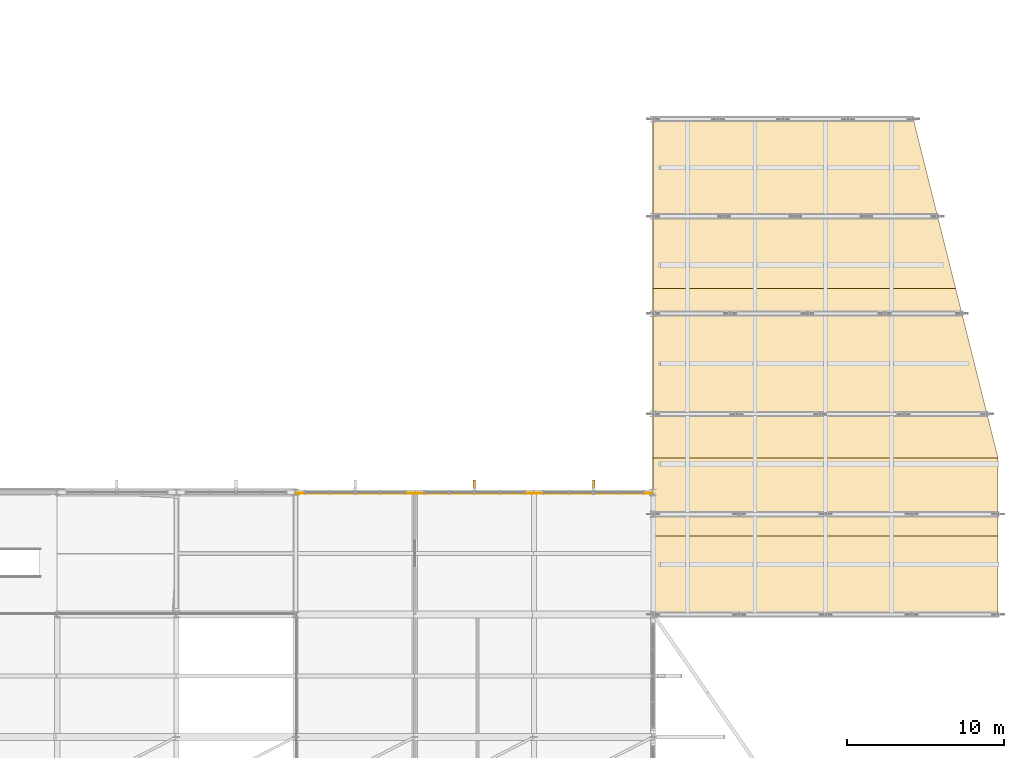
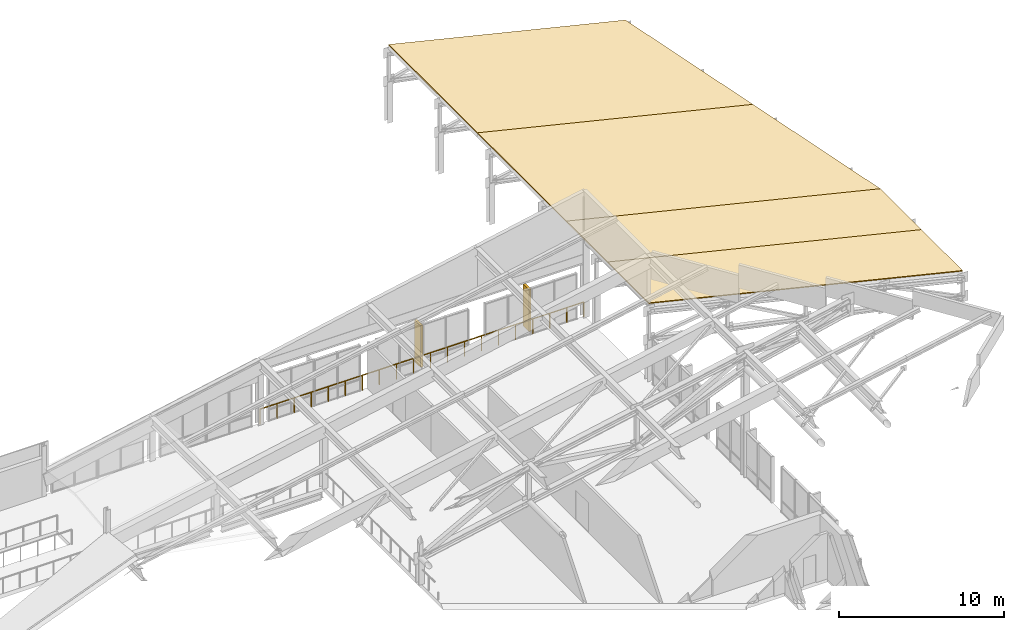
# One storey, part 73 of 73: 4 coverings, 2 shading devices, 1 railing.
"""IFC4 building model written with IfcOpenShell, lengths in metres."""

from ifc_helpers import new_model, si_unit, direction, frame, origin, origin_2d, place, context, subcontext, project, spatial, polyline, rectangle, circle, outline, extrude, material, layer, layer_set, type_object, element, save


model = new_model("IFC4")

# Units and contexts
model_context = context("Model", 3, precision=1e-05, world=origin(), true_north=direction((0.0, 1.0)))
body_context = subcontext(model_context, "Body", "Model", "MODEL_VIEW")
ifc_project = project(units=[si_unit("LENGTHUNIT", "METRE"), si_unit("AREAUNIT", "SQUARE_METRE"), si_unit("VOLUMEUNIT", "CUBIC_METRE"), si_unit("PLANEANGLEUNIT", "RADIAN"), si_unit("MASSUNIT", "GRAM", prefix="KILO")], contexts=[model_context])

# Site, building, storey
site_placement = place(None, origin())
site = spatial("IfcSite", under=ifc_project, at=site_placement, CompositionType="ELEMENT")
building_placement = place(site_placement, origin())
building = spatial("IfcBuilding", under=site, at=building_placement, Name="Vervanel Yard Central Library", CompositionType="ELEMENT")
storey_placement = place(building_placement, frame((0.0, 0.0, 12.780029296875)))
storey = spatial("IfcBuildingStorey", under=building, at=storey_placement, Name="L03", CompositionType="ELEMENT", Elevation=12.780029296875)

# Railing
ifc_material_1 = material(Name="Brushed stainless steel AISI 316", Category="steel")
railing_type = type_object("IfcRailingType", Name="Glazed Atrium & Gallery Balustrade 1120", PredefinedType="BALUSTRADE", material=ifc_material_1)
railing_placement = place(storey_placement, frame((123.199951171875, 82.139892578125, 0.0)))
element("IfcRailing", 1, at=railing_placement, inside=storey, type_object=railing_type, Name="L03 Perimeter Gap Guard V3-L03-N-GAP1", PredefinedType="BALUSTRADE", context=body_context, shape_type="SweptSolid", body=[
    extrude(circle(Radius=0.02392578125, at=origin_2d()), frame((0.0, 0.0, 1.09619140625), z_axis=(1.0, 0.0, 0.0), x_axis=(0.0, 1.0, 0.0)), (0.0, 0.0, 1.0), 22.699951171875),
    extrude(circle(Radius=0.02099609375, at=origin_2d()), origin(), (0.0, 0.0, 1.0), 1.072021484375),
    extrude(circle(Radius=0.02099609375, at=origin_2d()), frame((1.19482421875, 0.0, 0.0)), (0.0, 0.0, 1.0), 1.072021484375),
    extrude(circle(Radius=0.02099609375, at=origin_2d()), frame((2.389404296875, 0.0, 0.0)), (0.0, 0.0, 1.0), 1.072021484375),
    extrude(circle(Radius=0.02099609375, at=origin_2d()), frame((3.584228515625, 0.0, 0.0)), (0.0, 0.0, 1.0), 1.072021484375),
    extrude(circle(Radius=0.02099609375, at=origin_2d()), frame((4.779052734375, 0.0, 0.0)), (0.0, 0.0, 1.0), 1.072021484375),
    extrude(circle(Radius=0.02099609375, at=origin_2d()), frame((5.9736328125, 0.0, 0.0)), (0.0, 0.0, 1.0), 1.072021484375),
    extrude(circle(Radius=0.02099609375, at=origin_2d()), frame((7.16845703125, 0.0, 0.0)), (0.0, 0.0, 1.0), 1.072021484375),
    extrude(circle(Radius=0.02099609375, at=origin_2d()), frame((8.363037109375, 0.0, 0.0)), (0.0, 0.0, 1.0), 1.072021484375),
    extrude(circle(Radius=0.02099609375, at=origin_2d()), frame((9.557861328125, 0.0, 0.0)), (0.0, 0.0, 1.0), 1.072021484375),
    extrude(circle(Radius=0.02099609375, at=origin_2d()), frame((10.752685546875, 0.0, 0.0)), (0.0, 0.0, 1.0), 1.072021484375),
    extrude(circle(Radius=0.02099609375, at=origin_2d()), frame((11.947265625, 0.0, 0.0)), (0.0, 0.0, 1.0), 1.072021484375),
    extrude(circle(Radius=0.02099609375, at=origin_2d()), frame((13.14208984375, 0.0, 0.0)), (0.0, 0.0, 1.0), 1.072021484375),
    extrude(circle(Radius=0.02099609375, at=origin_2d()), frame((14.3369140625, 0.0, 0.0)), (0.0, 0.0, 1.0), 1.072021484375),
    extrude(circle(Radius=0.02099609375, at=origin_2d()), frame((15.531494140625, 0.0, 0.0)), (0.0, 0.0, 1.0), 1.072021484375),
    extrude(circle(Radius=0.02099609375, at=origin_2d()), frame((16.726318359375, 0.0, 0.0)), (0.0, 0.0, 1.0), 1.072021484375),
    extrude(circle(Radius=0.02099609375, at=origin_2d()), frame((17.9208984375, 0.0, 0.0)), (0.0, 0.0, 1.0), 1.072021484375),
    extrude(circle(Radius=0.02099609375, at=origin_2d()), frame((19.11572265625, 0.0, 0.0)), (0.0, 0.0, 1.0), 1.072021484375),
    extrude(circle(Radius=0.02099609375, at=origin_2d()), frame((20.310546875, 0.0, 0.0)), (0.0, 0.0, 1.0), 1.072021484375),
    extrude(circle(Radius=0.02099609375, at=origin_2d()), frame((21.505126953125, 0.0, 0.0)), (0.0, 0.0, 1.0), 1.072021484375),
    extrude(circle(Radius=0.02099609375, at=origin_2d()), frame((22.699951171875, 0.0, 0.0)), (0.0, 0.0, 1.0), 1.072021484375),
])

# Coverings
ifc_material_2 = material(Name="Standing-seam dark zinc-coated metal roofing", Category="metal")
ifc_layer = layer(ifc_material_2, 0.06494140625, Category="metal")
ifc_layer_set = layer_set([ifc_layer], Name="Standing-seam dark zinc-coated metal roofing")
covering_type = type_object("IfcCoveringType", Name="Standing-Seam Dark Zinc Roof Assembly", PredefinedType="ROOFING", material=ifc_layer_set)
for number, where, z_axis, x_axis, name in (
    (2, (146.0, 74.39990234375, 5.68798828125), (0.234210576806, 0.0, 0.972185890513), (0.972185890513, 0.0, -0.234210576806), "Standing-Seam Zinc Roofing V4-RS-01"),
    (3, (146.0, 79.39990234375, 5.68798828125), (0.234210576806, 0.0, 0.972185890513), (0.972185890513, 0.0, -0.234210576806), "Standing-Seam Zinc Roofing V4-RS-02"),
):
    element("IfcCovering", number, at=place(storey_placement, frame(where, z_axis=z_axis, x_axis=x_axis)), inside=storey, type_object=covering_type, Name=name, PredefinedType="ROOFING", context=body_context, shape_type="SweptSolid", body=[
        extrude(outline(polyline([(0.0, 0.0), (22.629417084417117, 0.0), (22.629417084417117, 5.0), (0.0, 5.0), (0.0, 0.0)])), origin(), (0.0, 0.0, -1.0), 0.06494140625),
    ])
covering_1_placement = place(storey_placement, frame((146.0, 84.39990234375, 5.68798828125), z_axis=(0.234211870539, 2.788325e-06, 0.972185578833), x_axis=(0.972185578837, -4e-12, -0.23421187054)))
element("IfcCovering", 4, at=covering_1_placement, inside=storey, type_object=covering_type, Name="Standing-Seam Zinc Roofing V4-RS-03", PredefinedType="ROOFING", context=body_context, shape_type="SweptSolid", body=[
    extrude(outline(polyline([(0.0, 0.0), (22.629417084397076, 0.0), (19.852234286633806, 10.800048828240648), (-4.00742045983887e-11, 10.800048828083018), (0.0, 0.0)])), origin(), (0.0, 0.0, -1.0), 0.06494140625),
])
covering_2_placement = place(storey_placement, frame((146.0, 95.199951171875, 5.68798828125), z_axis=(0.234208793059, -8.607058e-06, 0.972186320198), x_axis=(0.972186320234, -4e-11, -0.234208793068)))
element("IfcCovering", 5, at=covering_2_placement, inside=storey, type_object=covering_type, Name="Standing-Seam Zinc Roofing V4-RS-04", PredefinedType="ROOFING", context=body_context, shape_type="SweptSolid", body=[
    extrude(outline(polyline([(0.0, 0.0), (19.85223428647909, -6.776263578034403e-21), (17.074994308262767, 10.800048829213198), (-4.352627919820959e-10, 10.800048827724959), (0.0, 0.0)])), origin(), (0.0, 0.0, -1.0), 0.06494140625),
])

# Shading devices
ifc_material_3 = material(Name="Precast concrete C45/55", Category="concrete")
shading_device_type = type_object("IfcShadingDeviceType", Name="Vertical Precast Solar Fin 160x720x3200", PredefinedType="JALOUSIE", material=ifc_material_3)
for number, where, z_axis, x_axis, name in (
    (6, (134.60009765625, 82.610107421875, 0.14990234375), (0.0, 0.0, 1.0), (1.0, 0.0, 0.0), "L03 Precast Solar Fin 482"),
    (7, (142.199951171875, 82.610107421875, 0.14990234375), (0.0, 0.0, 1.0), (1.0, 0.0, 0.0), "L03 Precast Solar Fin 483"),
):
    element("IfcShadingDevice", number, at=place(storey_placement, frame(where, z_axis=z_axis, x_axis=x_axis)), inside=storey, type_object=shading_device_type, Name=name, PredefinedType="JALOUSIE", context=body_context, shape_type="SweptSolid", body=[
        extrude(rectangle(XDim=0.159912109375, YDim=0.719970703125, at=origin_2d()), origin(), (0.0, 0.0, 1.0), 3.10009765625),
    ])

save(model, "model.ifc")
